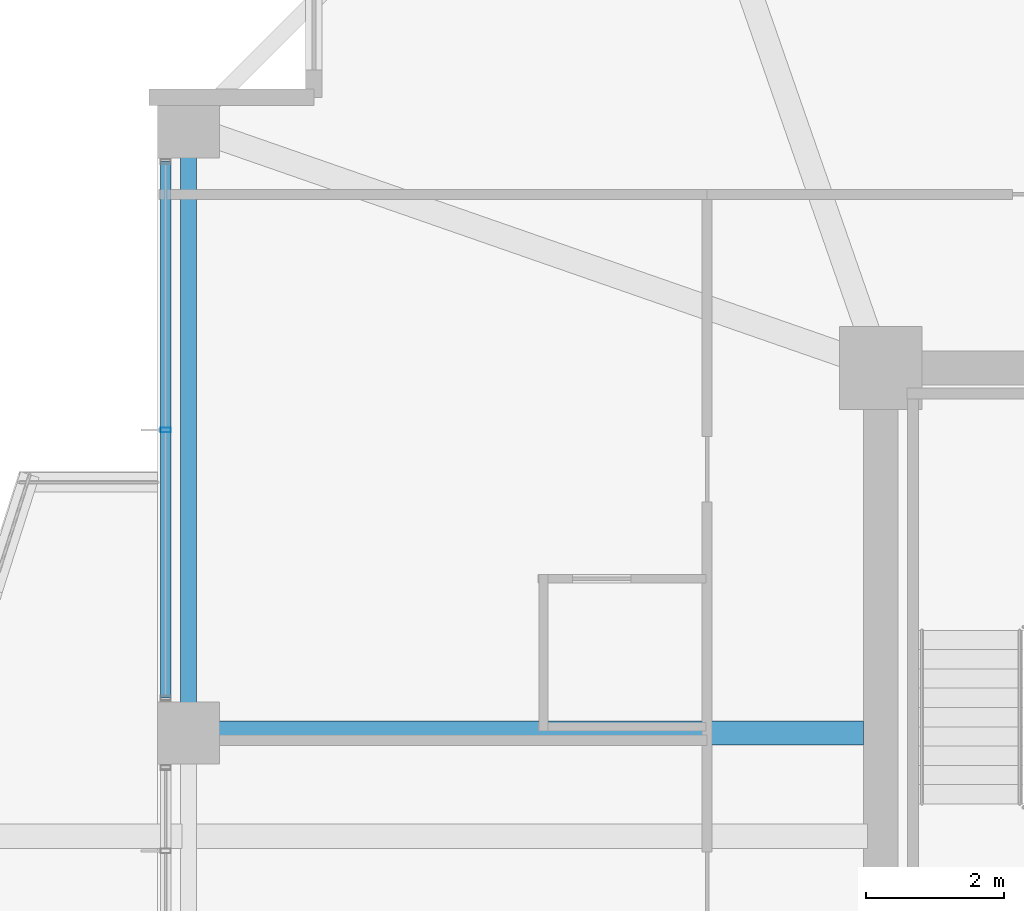
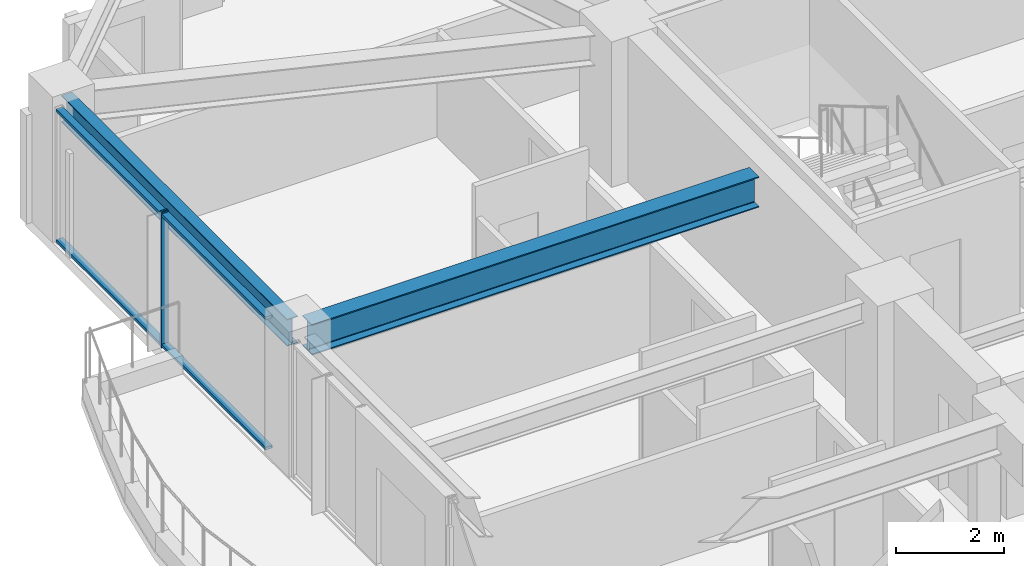
# One storey, part 8 of 34: 3 members, 2 beams, 1 element without a shape of its own.
"""IFC4 building model written with IfcOpenShell, lengths in metres."""

from ifc_helpers import new_model, si_unit, direction, frame, origin, origin_2d, place, context, subcontext, project, spatial, hollow_rectangle, i_section, extrude, material, material_profile, profile_set, type_object, element, aggregate, save


model = new_model("IFC4")

# Units and contexts
model_context = context("Model", 3, precision=1e-05, world=origin(), true_north=direction((0.0, 1.0)))
body_context = subcontext(model_context, "Body", "Model", "MODEL_VIEW")
ifc_project = project(units=[si_unit("LENGTHUNIT", "METRE"), si_unit("AREAUNIT", "SQUARE_METRE"), si_unit("VOLUMEUNIT", "CUBIC_METRE"), si_unit("PLANEANGLEUNIT", "RADIAN"), si_unit("MASSUNIT", "GRAM", prefix="KILO")], contexts=[model_context])

# Site, building, storey
site_placement = place(None, origin())
site = spatial("IfcSite", under=ifc_project, at=site_placement, CompositionType="ELEMENT")
building_placement = place(site_placement, origin())
building = spatial("IfcBuilding", under=site, at=building_placement, Name="Kolvaren Belvedere", CompositionType="ELEMENT")
storey_placement = place(building_placement, frame((0.0, 0.0, 189.89990234375)))
storey = spatial("IfcBuildingStorey", under=building, at=storey_placement, Name="L55", CompositionType="ELEMENT", Elevation=189.89990234375)

# Beams
ifc_material_1 = material(Name="Structural steel ASTM A992 Grade 50", Category="steel")
ifc_material_profile_1 = material_profile(ifc_material_1, i_section(OverallWidth=0.35498046875, OverallDepth=0.696044921875, WebThickness=0.015380859375, FlangeThickness=0.02490234375, FilletRadius=0.02197265625, at=origin_2d()), Name="W27X146")
ifc_profile_set_1 = profile_set([ifc_material_profile_1], Name="Structural steel ASTM A992 Grade 50")
beam_type_1 = type_object("IfcBeamType", Name="BM-GIRD-W27X146", PredefinedType="BEAM", material=ifc_profile_set_1)
beam_1_placement = place(storey_placement, frame((-10.14990234375, 4.60009765625, 2.732177734375), z_axis=(-1.0, 0.0, 0.0), x_axis=(0.0, -1.0, 0.0)))
element("IfcBeam", 1, at=beam_1_placement, inside=storey, type_object=beam_type_1, Name="L55 West Radial Girder P", PredefinedType="BEAM", context=body_context, shape_type="SweptSolid", body=[
    extrude(i_section(OverallWidth=0.35498046875, OverallDepth=0.696044921875, WebThickness=0.015380859375, FlangeThickness=0.02490234375, FilletRadius=0.02197265625, at=origin_2d()), origin(), (0.0, 0.0, 1.0), 9.59765625),
])
ifc_material_2 = material(Name="Structural steel ASTM A992 Grade 50", Category="steel")
ifc_material_profile_2 = material_profile(ifc_material_2, i_section(OverallWidth=0.22900390625, OverallDepth=0.612060546875, WebThickness=0.011962890625, FlangeThickness=0.01953125, FilletRadius=0.01806640625, at=origin_2d()), Name="W24X84")
ifc_profile_set_2 = profile_set([ifc_material_profile_2], Name="Structural steel ASTM A992 Grade 50")
beam_type_2 = type_object("IfcBeamType", Name="BM-SPAN-W24X84", PredefinedType="SPANDREL", material=ifc_profile_set_2)
beam_2_placement = place(storey_placement, frame((-19.949951171875, 13.197509765625, 2.774169921875), z_axis=(0.0, -1.0, 0.0), x_axis=(1.0, 0.0, 0.0)))
element("IfcBeam", 2, at=beam_2_placement, inside=storey, type_object=beam_type_2, Name="L55 Perimeter Spandrel W4-W3", PredefinedType="SPANDREL", context=body_context, shape_type="SweptSolid", body=[
    extrude(i_section(OverallWidth=0.22900390625, OverallDepth=0.612060546875, WebThickness=0.011962890625, FlangeThickness=0.01953125, FilletRadius=0.01806640625, at=origin_2d()), origin(), (0.0, 0.0, 1.0), 8.39501953125),
])

# Curtain wall, members
ifc_material_3 = material(Name="Anodised pale-metal aluminium AA 6063-T6", Category="aluminium")
curtain_wall_type = type_object("IfcCurtainWallType", Name="CW-Z5-HIGH", PredefinedType="NOTDEFINED", material=ifc_material_3)
curtain_wall_placement = place(storey_placement, origin())
curtain_wall = element("IfcCurtainWall", 3, at=curtain_wall_placement, inside=storey, type_object=curtain_wall_type, Name="L55 Unitised Curtain Wall FCW-L55-W2-B2", PredefinedType="NOTDEFINED")
ifc_material_4 = material(Name="Anodised pale-metal aluminium AA 6063-T6", Category="aluminium")
ifc_material_profile_3 = material_profile(ifc_material_4, hollow_rectangle(XDim=0.070068359375, YDim=0.14990234375, WallThickness=0.004150390625, at=origin_2d()), Name="ALU-MUL-150X70")
ifc_profile_set_3 = profile_set([ifc_material_profile_3], Name="Anodised pale-metal aluminium AA 6063-T6")
member_type_1 = type_object("IfcMemberType", Name="CW-MUL-150", PredefinedType="MULLION", material=ifc_profile_set_3)
member_1_placement = place(storey_placement, frame((-20.280029296875, 9.0, 0.0), z_axis=(0.0, 0.0, 1.0), x_axis=(0.0, 1.0, 0.0)))
member_1 = element("IfcMember", 4, at=member_1_placement, type_object=member_type_1, Name="FCW-L55-W2-B2 Unitised Mullion 2", PredefinedType="MULLION", context=body_context, shape_type="SweptSolid", body=[
    extrude(hollow_rectangle(XDim=0.070068359375, YDim=0.14990234375, WallThickness=0.004150390625, at=origin_2d()), origin(), (0.0, 0.0, 1.0), 3.080078125),
])
ifc_material_5 = material(Name="Anodised pale-metal aluminium AA 6063-T6", Category="aluminium")
ifc_material_profile_4 = material_profile(ifc_material_5, hollow_rectangle(XDim=0.06494140625, YDim=0.14990234375, WallThickness=0.00390625, at=origin_2d()), Name="ALU-TRN-150X65")
ifc_profile_set_4 = profile_set([ifc_material_profile_4], Name="Anodised pale-metal aluminium AA 6063-T6")
member_type_2 = type_object("IfcMemberType", Name="CW-TRN-150", PredefinedType="USERDEFINED", material=ifc_profile_set_4)
member_2_placement = place(storey_placement, frame((-20.280029296875, 5.10498046875, 0.06005859375), z_axis=(0.0, 1.0, 0.0), x_axis=(0.0, 0.0, 1.0)))
member_2 = element("IfcMember", 5, at=member_2_placement, type_object=member_type_2, Name="FCW-L55-W2-B2 Sill Transom", ObjectType="TRANSOM", PredefinedType="USERDEFINED", context=body_context, shape_type="SweptSolid", body=[
    extrude(hollow_rectangle(XDim=0.06494140625, YDim=0.14990234375, WallThickness=0.00390625, at=origin_2d()), origin(), (0.0, 0.0, 1.0), 7.7900390625),
])
member_3_placement = place(storey_placement, frame((-20.280029296875, 5.10498046875, 3.02001953125), z_axis=(0.0, 1.0, 0.0), x_axis=(0.0, 0.0, 1.0)))
member_3 = element("IfcMember", 6, at=member_3_placement, type_object=member_type_2, Name="FCW-L55-W2-B2 Head Transom", ObjectType="TRANSOM", PredefinedType="USERDEFINED", context=body_context, shape_type="SweptSolid", body=[
    extrude(hollow_rectangle(XDim=0.06494140625, YDim=0.14990234375, WallThickness=0.00390625, at=origin_2d()), origin(), (0.0, 0.0, 1.0), 7.7900390625),
])
aggregate(curtain_wall, [member_1, member_2, member_3])

save(model, "model.ifc")
